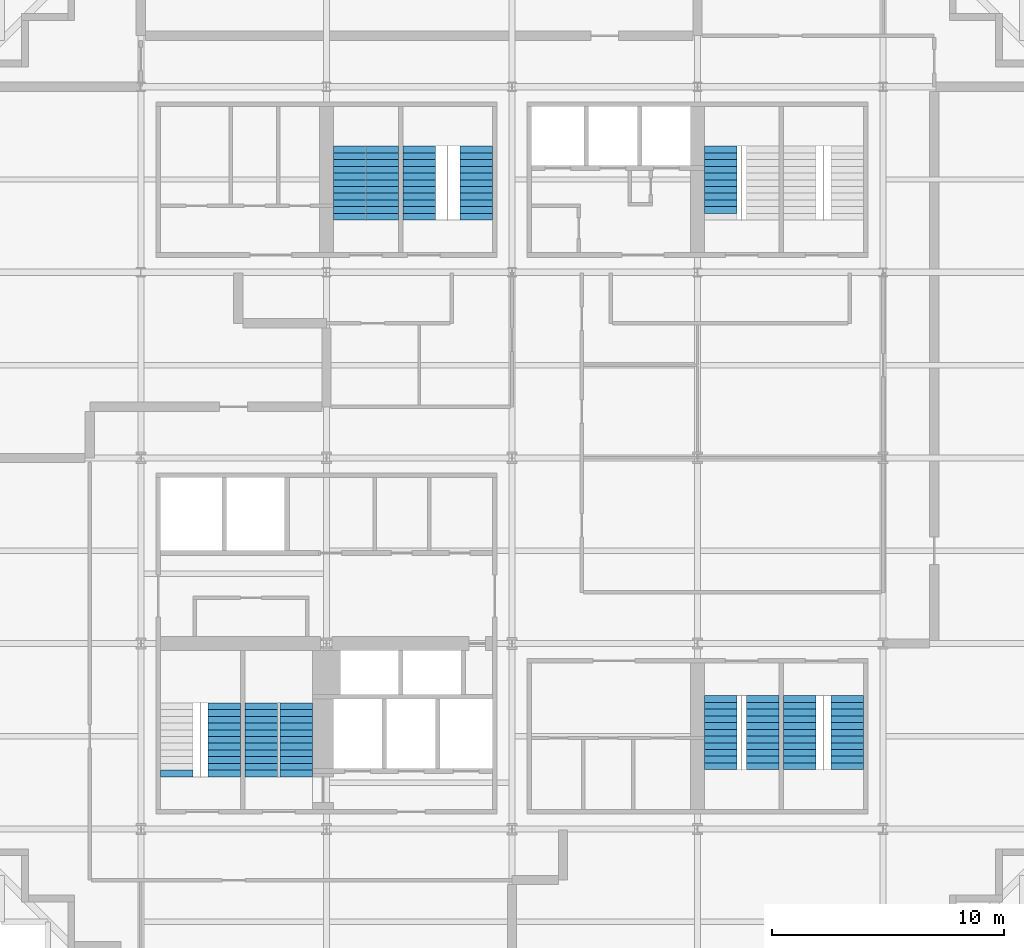
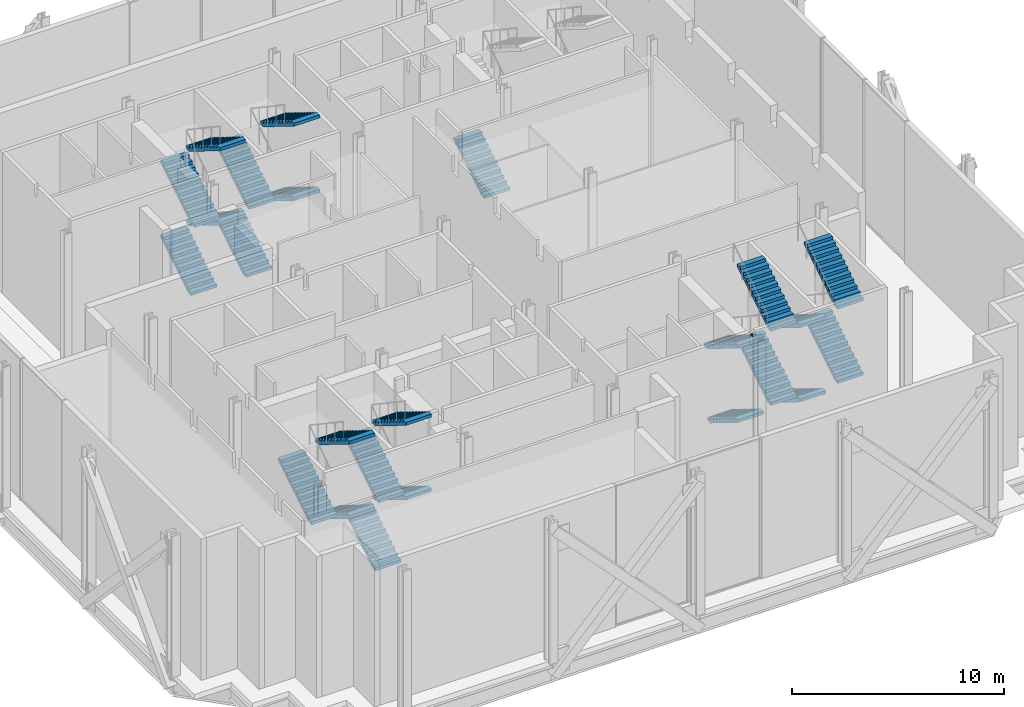
# One storey, part 11 of 13: 24 stair flights, 7 elements without a shape of their own.
"""IFC4 building model written with IfcOpenShell, lengths in metres."""

from ifc_helpers import new_model, si_unit, direction, frame, origin, place, context, subcontext, project, spatial, polyline, outline, extrude, material, type_object, element, aggregate, save


model = new_model("IFC4")

# Units and contexts
model_context = context("Model", 3, precision=1e-05, world=origin(), true_north=direction((0.0, 1.0)))
body_context = subcontext(model_context, "Body", "Model", "MODEL_VIEW")
ifc_project = project(units=[si_unit("LENGTHUNIT", "METRE"), si_unit("AREAUNIT", "SQUARE_METRE"), si_unit("VOLUMEUNIT", "CUBIC_METRE"), si_unit("PLANEANGLEUNIT", "RADIAN"), si_unit("MASSUNIT", "GRAM", prefix="KILO")], contexts=[model_context])

# Site, building, storey
site_placement = place(None, origin())
site = spatial("IfcSite", under=ifc_project, at=site_placement, CompositionType="ELEMENT")
building_placement = place(site_placement, origin())
building = spatial("IfcBuilding", under=site, at=building_placement, Name="Immortelle Media Tower", CompositionType="ELEMENT")
storey_placement = place(building_placement, frame((0.0, 0.0, 21.0)))
storey = spatial("IfcBuildingStorey", under=building, at=storey_placement, Name="L02", CompositionType="ELEMENT", Elevation=21.0)

# Stair, stair flights
ifc_material = material(Name="Steel ASTM A992 Gr 50", Category="steel")
stair_type = type_object("IfcStairType", Name="Stair with flights", PredefinedType="DOUBLE_RETURN_STAIR", material=ifc_material)
stair_1_placement = place(storey_placement, origin())
stair_1 = element("IfcStair", 1, at=stair_1_placement, inside=storey, type_object=stair_type, Name="Exit stair SW1", PredefinedType="DOUBLE_RETURN_STAIR")
stair_flight_type = type_object("IfcStairFlightType", Name="Stair flight 1400", PredefinedType="STRAIGHT", material=ifc_material)
stair_flight_1_placement = place(storey_placement, frame((11.60009765625, 13.43994140625, 1.966064453125), z_axis=(0.0, 0.0, 1.0), x_axis=(0.0, -1.0, 0.0)))
stair_flight_1 = element("IfcStairFlight", 2, at=stair_flight_1_placement, type_object=stair_flight_type, Name="ST SW1 flight 2", NumberOfRisers=12, NumberOfTreads=11, PredefinedType="STRAIGHT", RiserHeight=0.178723404, TreadLength=0.29, context=body_context, shape_type="SweptSolid", body=[
    extrude(outline(polyline([(0.0, 0.0), (0.0, 0.1787109375), (0.2900390625, 0.1787109375), (0.2900390625, 0.357421875), (0.580078125, 0.357421875), (0.580078125, 0.5361328125), (0.8701171875, 0.5361328125), (0.8701171875, 0.71484375), (1.159912109375, 0.71484375), (1.159912109375, 0.8935546875), (1.449951171875, 0.8935546875), (1.449951171875, 1.072265625), (1.739990234375, 1.072265625), (1.739990234375, 1.2509765625), (2.030029296875, 1.2509765625), (2.030029296875, 1.4296875), (2.320068359375, 1.4296875), (2.320068359375, 1.6083984375), (2.610107421875, 1.6083984375), (2.610107421875, 1.787353515625), (2.89990234375, 1.787353515625), (2.89990234375, 1.966064453125), (3.18994140625, 1.966064453125), (3.18994140625, 2.144775390625), (3.18994140625, 1.789794921875), (0.28564453125, 0.0), (0.0, 0.0)])), frame((0.0, 0.699951171875, 0.0), z_axis=(0.0, -1.0, 0.0), x_axis=(1.0, 0.0, 0.0)), (0.0, 0.0, 1.0), 1.39990234375),
])
stair_flight_2_placement = place(storey_placement, frame((9.550048828125, 10.25, 4.110595703125), z_axis=(0.0, 0.0, 1.0), x_axis=(0.0, 1.0, 0.0)))
stair_flight_2 = element("IfcStairFlight", 3, at=stair_flight_2_placement, type_object=stair_flight_type, Name="ST SW1 flight 3", NumberOfRisers=12, NumberOfTreads=11, PredefinedType="STRAIGHT", RiserHeight=0.178723404, TreadLength=0.29, context=body_context, shape_type="SweptSolid", body=[
    extrude(outline(polyline([(0.0, 0.0), (0.0, 0.1787109375), (0.2900390625, 0.1787109375), (0.2900390625, 0.357421875), (0.580078125, 0.357421875), (0.580078125, 0.5361328125), (0.8701171875, 0.5361328125), (0.8701171875, 0.71484375), (1.159912109375, 0.71484375), (1.159912109375, 0.8935546875), (1.449951171875, 0.8935546875), (1.449951171875, 1.072265625), (1.739990234375, 1.072265625), (1.739990234375, 1.2509765625), (2.030029296875, 1.2509765625), (2.030029296875, 1.4296875), (2.320068359375, 1.4296875), (2.320068359375, 1.6083984375), (2.610107421875, 1.6083984375), (2.610107421875, 1.787353515625), (2.89990234375, 1.787353515625), (2.89990234375, 1.966064453125), (3.18994140625, 1.966064453125), (3.18994140625, 2.144775390625), (3.18994140625, 1.789794921875), (0.28564453125, 0.0), (0.0, 0.0)])), frame((0.0, 0.699951171875, 0.0), z_axis=(0.0, -1.0, 0.0), x_axis=(1.0, 0.0, 0.0)), (0.0, 0.0, 1.0), 1.39990234375),
])
stair_flight_3_placement = place(storey_placement, frame((11.60009765625, 13.43994140625, 6.25537109375), z_axis=(0.0, 0.0, 1.0), x_axis=(0.0, -1.0, 0.0)))
stair_flight_3 = element("IfcStairFlight", 4, at=stair_flight_3_placement, type_object=stair_flight_type, Name="ST SW1 flight 4", NumberOfRisers=12, NumberOfTreads=11, PredefinedType="STRAIGHT", RiserHeight=0.178723404, TreadLength=0.29, context=body_context, shape_type="SweptSolid", body=[
    extrude(outline(polyline([(0.0, 0.0), (0.0, 0.1787109375), (0.2900390625, 0.1787109375), (0.2900390625, 0.357421875), (0.580078125, 0.357421875), (0.580078125, 0.5361328125), (0.8701171875, 0.5361328125), (0.8701171875, 0.71484375), (1.159912109375, 0.71484375), (1.159912109375, 0.8935546875), (1.449951171875, 0.8935546875), (1.449951171875, 1.072265625), (1.739990234375, 1.072265625), (1.739990234375, 1.2509765625), (2.030029296875, 1.2509765625), (2.030029296875, 1.4296875), (2.320068359375, 1.4296875), (2.320068359375, 1.6083984375), (2.610107421875, 1.6083984375), (2.610107421875, 1.787353515625), (2.89990234375, 1.787353515625), (2.89990234375, 1.966064453125), (3.18994140625, 1.966064453125), (3.18994140625, 2.144775390625), (3.18994140625, 1.789794921875), (0.28564453125, 0.0), (0.0, 0.0)])), frame((0.0, 0.699951171875, 0.0), z_axis=(0.0, -1.0, 0.0), x_axis=(1.0, 0.0, 0.0)), (0.0, 0.0, 1.0), 1.39990234375),
])
aggregate(stair_1, [stair_flight_1, stair_flight_2, stair_flight_3])

stair_2_placement = place(storey_placement, origin())
stair_2 = element("IfcStair", 5, at=stair_2_placement, inside=storey, type_object=stair_type, Name="Exit stair SW2", PredefinedType="DOUBLE_RETURN_STAIR")
stair_flight_4_placement = place(storey_placement, frame((13.199951171875, 10.5400390625, 0.0), z_axis=(0.0, 0.0, 1.0), x_axis=(0.0, 1.0, 0.0)))
stair_flight_4 = element("IfcStairFlight", 6, at=stair_flight_4_placement, type_object=stair_flight_type, Name="ST SW2 flight 1", NumberOfRisers=11, NumberOfTreads=10, PredefinedType="STRAIGHT", RiserHeight=0.178723404, TreadLength=0.29, context=body_context, shape_type="SweptSolid", body=[
    extrude(outline(polyline([(0.0, 0.0), (0.0, 0.1787109375), (0.2900390625, 0.1787109375), (0.2900390625, 0.357421875), (0.580078125, 0.357421875), (0.580078125, 0.5361328125), (0.8701171875, 0.5361328125), (0.8701171875, 0.71484375), (1.159912109375, 0.71484375), (1.159912109375, 0.8935546875), (1.449951171875, 0.8935546875), (1.449951171875, 1.072265625), (1.739990234375, 1.072265625), (1.739990234375, 1.2509765625), (2.030029296875, 1.2509765625), (2.030029296875, 1.4296875), (2.320068359375, 1.4296875), (2.320068359375, 1.6083984375), (2.610107421875, 1.6083984375), (2.610107421875, 1.787353515625), (2.89990234375, 1.787353515625), (2.89990234375, 1.966064453125), (2.89990234375, 1.611083984375), (0.28564453125, 0.0), (0.0, 0.0)])), frame((0.0, 0.699951171875, 0.0), z_axis=(0.0, -1.0, 0.0), x_axis=(1.0, 0.0, 0.0)), (0.0, 0.0, 1.0), 1.39990234375),
])
stair_flight_5_placement = place(storey_placement, frame((14.699951171875, 13.43994140625, 1.966064453125), z_axis=(0.0, 0.0, 1.0), x_axis=(0.0, -1.0, 0.0)))
stair_flight_5 = element("IfcStairFlight", 7, at=stair_flight_5_placement, type_object=stair_flight_type, Name="ST SW2 flight 2", NumberOfRisers=12, NumberOfTreads=11, PredefinedType="STRAIGHT", RiserHeight=0.178723404, TreadLength=0.29, context=body_context, shape_type="SweptSolid", body=[
    extrude(outline(polyline([(0.0, 0.0), (0.0, 0.1787109375), (0.2900390625, 0.1787109375), (0.2900390625, 0.357421875), (0.580078125, 0.357421875), (0.580078125, 0.5361328125), (0.8701171875, 0.5361328125), (0.8701171875, 0.71484375), (1.159912109375, 0.71484375), (1.159912109375, 0.8935546875), (1.449951171875, 0.8935546875), (1.449951171875, 1.072265625), (1.739990234375, 1.072265625), (1.739990234375, 1.2509765625), (2.030029296875, 1.2509765625), (2.030029296875, 1.4296875), (2.320068359375, 1.4296875), (2.320068359375, 1.6083984375), (2.610107421875, 1.6083984375), (2.610107421875, 1.787353515625), (2.89990234375, 1.787353515625), (2.89990234375, 1.966064453125), (3.18994140625, 1.966064453125), (3.18994140625, 2.144775390625), (3.18994140625, 1.789794921875), (0.28564453125, 0.0), (0.0, 0.0)])), frame((0.0, 0.699951171875, 0.0), z_axis=(0.0, -1.0, 0.0), x_axis=(1.0, 0.0, 0.0)), (0.0, 0.0, 1.0), 1.39990234375),
])
stair_flight_6_placement = place(storey_placement, frame((13.199951171875, 10.25, 4.110595703125), z_axis=(0.0, 0.0, 1.0), x_axis=(0.0, 1.0, 0.0)))
stair_flight_6 = element("IfcStairFlight", 8, at=stair_flight_6_placement, type_object=stair_flight_type, Name="ST SW2 flight 3", NumberOfRisers=12, NumberOfTreads=11, PredefinedType="STRAIGHT", RiserHeight=0.178723404, TreadLength=0.29, context=body_context, shape_type="SweptSolid", body=[
    extrude(outline(polyline([(0.0, 0.0), (0.0, 0.1787109375), (0.2900390625, 0.1787109375), (0.2900390625, 0.357421875), (0.580078125, 0.357421875), (0.580078125, 0.5361328125), (0.8701171875, 0.5361328125), (0.8701171875, 0.71484375), (1.159912109375, 0.71484375), (1.159912109375, 0.8935546875), (1.449951171875, 0.8935546875), (1.449951171875, 1.072265625), (1.739990234375, 1.072265625), (1.739990234375, 1.2509765625), (2.030029296875, 1.2509765625), (2.030029296875, 1.4296875), (2.320068359375, 1.4296875), (2.320068359375, 1.6083984375), (2.610107421875, 1.6083984375), (2.610107421875, 1.787353515625), (2.89990234375, 1.787353515625), (2.89990234375, 1.966064453125), (3.18994140625, 1.966064453125), (3.18994140625, 2.144775390625), (3.18994140625, 1.789794921875), (0.28564453125, 0.0), (0.0, 0.0)])), frame((0.0, 0.699951171875, 0.0), z_axis=(0.0, -1.0, 0.0), x_axis=(1.0, 0.0, 0.0)), (0.0, 0.0, 1.0), 1.39990234375),
])
stair_flight_7_placement = place(storey_placement, frame((14.699951171875, 13.43994140625, 6.25537109375), z_axis=(0.0, 0.0, 1.0), x_axis=(0.0, -1.0, 0.0)))
stair_flight_7 = element("IfcStairFlight", 9, at=stair_flight_7_placement, type_object=stair_flight_type, Name="ST SW2 flight 4", NumberOfRisers=12, NumberOfTreads=11, PredefinedType="STRAIGHT", RiserHeight=0.178723404, TreadLength=0.29, context=body_context, shape_type="SweptSolid", body=[
    extrude(outline(polyline([(0.0, 0.0), (0.0, 0.1787109375), (0.2900390625, 0.1787109375), (0.2900390625, 0.357421875), (0.580078125, 0.357421875), (0.580078125, 0.5361328125), (0.8701171875, 0.5361328125), (0.8701171875, 0.71484375), (1.159912109375, 0.71484375), (1.159912109375, 0.8935546875), (1.449951171875, 0.8935546875), (1.449951171875, 1.072265625), (1.739990234375, 1.072265625), (1.739990234375, 1.2509765625), (2.030029296875, 1.2509765625), (2.030029296875, 1.4296875), (2.320068359375, 1.4296875), (2.320068359375, 1.6083984375), (2.610107421875, 1.6083984375), (2.610107421875, 1.787353515625), (2.89990234375, 1.787353515625), (2.89990234375, 1.966064453125), (3.18994140625, 1.966064453125), (3.18994140625, 2.144775390625), (3.18994140625, 1.789794921875), (0.28564453125, 0.0), (0.0, 0.0)])), frame((0.0, 0.699951171875, 0.0), z_axis=(0.0, -1.0, 0.0), x_axis=(1.0, 0.0, 0.0)), (0.0, 0.0, 1.0), 1.39990234375),
])
aggregate(stair_2, [stair_flight_4, stair_flight_5, stair_flight_6, stair_flight_7])

stair_3_placement = place(storey_placement, origin())
stair_3 = element("IfcStair", 10, at=stair_3_placement, inside=storey, type_object=stair_type, Name="Exit stair SE1", PredefinedType="DOUBLE_RETURN_STAIR")
stair_flight_8_placement = place(storey_placement, frame((33.0, 13.4599609375, 0.0), z_axis=(0.0, 0.0, 1.0), x_axis=(0.0, -1.0, 0.0)))
stair_flight_8 = element("IfcStairFlight", 11, at=stair_flight_8_placement, type_object=stair_flight_type, Name="ST SE1 flight 1", NumberOfRisers=11, NumberOfTreads=10, PredefinedType="STRAIGHT", RiserHeight=0.178723404, TreadLength=0.29, context=body_context, shape_type="SweptSolid", body=[
    extrude(outline(polyline([(0.0, 0.0), (0.0, 0.1787109375), (0.2900390625, 0.1787109375), (0.2900390625, 0.357421875), (0.580078125, 0.357421875), (0.580078125, 0.5361328125), (0.8701171875, 0.5361328125), (0.8701171875, 0.71484375), (1.159912109375, 0.71484375), (1.159912109375, 0.8935546875), (1.449951171875, 0.8935546875), (1.449951171875, 1.072265625), (1.739990234375, 1.072265625), (1.739990234375, 1.2509765625), (2.030029296875, 1.2509765625), (2.030029296875, 1.4296875), (2.320068359375, 1.4296875), (2.320068359375, 1.6083984375), (2.610107421875, 1.6083984375), (2.610107421875, 1.787353515625), (2.89990234375, 1.787353515625), (2.89990234375, 1.966064453125), (2.89990234375, 1.611083984375), (0.28564453125, 0.0), (0.0, 0.0)])), frame((0.0, 0.699951171875, 0.0), z_axis=(0.0, -1.0, 0.0), x_axis=(1.0, 0.0, 0.0)), (0.0, 0.0, 1.0), 1.39990234375),
])
stair_flight_9_placement = place(storey_placement, frame((34.800048828125, 10.56005859375, 1.966064453125), z_axis=(0.0, 0.0, 1.0), x_axis=(0.0, 1.0, 0.0)))
stair_flight_9 = element("IfcStairFlight", 12, at=stair_flight_9_placement, type_object=stair_flight_type, Name="ST SE1 flight 2", NumberOfRisers=12, NumberOfTreads=11, PredefinedType="STRAIGHT", RiserHeight=0.178723404, TreadLength=0.29, context=body_context, shape_type="SweptSolid", body=[
    extrude(outline(polyline([(0.0, 0.0), (0.0, 0.1787109375), (0.2900390625, 0.1787109375), (0.2900390625, 0.357421875), (0.580078125, 0.357421875), (0.580078125, 0.5361328125), (0.8701171875, 0.5361328125), (0.8701171875, 0.71484375), (1.159912109375, 0.71484375), (1.159912109375, 0.8935546875), (1.449951171875, 0.8935546875), (1.449951171875, 1.072265625), (1.739990234375, 1.072265625), (1.739990234375, 1.2509765625), (2.030029296875, 1.2509765625), (2.030029296875, 1.4296875), (2.320068359375, 1.4296875), (2.320068359375, 1.6083984375), (2.610107421875, 1.6083984375), (2.610107421875, 1.787353515625), (2.89990234375, 1.787353515625), (2.89990234375, 1.966064453125), (3.18994140625, 1.966064453125), (3.18994140625, 2.144775390625), (3.18994140625, 1.789794921875), (0.28564453125, 0.0), (0.0, 0.0)])), frame((0.0, 0.699951171875, 0.0), z_axis=(0.0, -1.0, 0.0), x_axis=(1.0, 0.0, 0.0)), (0.0, 0.0, 1.0), 1.39990234375),
])
stair_flight_10_placement = place(storey_placement, frame((33.0, 13.75, 4.110595703125), z_axis=(0.0, 0.0, 1.0), x_axis=(0.0, -1.0, 0.0)))
stair_flight_10 = element("IfcStairFlight", 13, at=stair_flight_10_placement, type_object=stair_flight_type, Name="ST SE1 flight 3", NumberOfRisers=12, NumberOfTreads=11, PredefinedType="STRAIGHT", RiserHeight=0.178723404, TreadLength=0.29, context=body_context, shape_type="SweptSolid", body=[
    extrude(outline(polyline([(0.0, 0.0), (0.0, 0.1787109375), (0.2900390625, 0.1787109375), (0.2900390625, 0.357421875), (0.580078125, 0.357421875), (0.580078125, 0.5361328125), (0.8701171875, 0.5361328125), (0.8701171875, 0.71484375), (1.159912109375, 0.71484375), (1.159912109375, 0.8935546875), (1.449951171875, 0.8935546875), (1.449951171875, 1.072265625), (1.739990234375, 1.072265625), (1.739990234375, 1.2509765625), (2.030029296875, 1.2509765625), (2.030029296875, 1.4296875), (2.320068359375, 1.4296875), (2.320068359375, 1.6083984375), (2.610107421875, 1.6083984375), (2.610107421875, 1.787353515625), (2.89990234375, 1.787353515625), (2.89990234375, 1.966064453125), (3.18994140625, 1.966064453125), (3.18994140625, 2.144775390625), (3.18994140625, 1.789794921875), (0.28564453125, 0.0), (0.0, 0.0)])), frame((0.0, 0.699951171875, 0.0), z_axis=(0.0, -1.0, 0.0), x_axis=(1.0, 0.0, 0.0)), (0.0, 0.0, 1.0), 1.39990234375),
])
stair_flight_11_placement = place(storey_placement, frame((34.800048828125, 10.56005859375, 6.25537109375), z_axis=(0.0, 0.0, 1.0), x_axis=(0.0, 1.0, 0.0)))
stair_flight_11 = element("IfcStairFlight", 14, at=stair_flight_11_placement, type_object=stair_flight_type, Name="ST SE1 flight 4", NumberOfRisers=12, NumberOfTreads=11, PredefinedType="STRAIGHT", RiserHeight=0.178723404, TreadLength=0.29, context=body_context, shape_type="SweptSolid", body=[
    extrude(outline(polyline([(0.0, 0.0), (0.0, 0.1787109375), (0.2900390625, 0.1787109375), (0.2900390625, 0.357421875), (0.580078125, 0.357421875), (0.580078125, 0.5361328125), (0.8701171875, 0.5361328125), (0.8701171875, 0.71484375), (1.159912109375, 0.71484375), (1.159912109375, 0.8935546875), (1.449951171875, 0.8935546875), (1.449951171875, 1.072265625), (1.739990234375, 1.072265625), (1.739990234375, 1.2509765625), (2.030029296875, 1.2509765625), (2.030029296875, 1.4296875), (2.320068359375, 1.4296875), (2.320068359375, 1.6083984375), (2.610107421875, 1.6083984375), (2.610107421875, 1.787353515625), (2.89990234375, 1.787353515625), (2.89990234375, 1.966064453125), (3.18994140625, 1.966064453125), (3.18994140625, 2.144775390625), (3.18994140625, 1.789794921875), (0.28564453125, 0.0), (0.0, 0.0)])), frame((0.0, 0.699951171875, 0.0), z_axis=(0.0, -1.0, 0.0), x_axis=(1.0, 0.0, 0.0)), (0.0, 0.0, 1.0), 1.39990234375),
])
aggregate(stair_3, [stair_flight_8, stair_flight_9, stair_flight_10, stair_flight_11])

stair_4_placement = place(storey_placement, origin())
stair_4 = element("IfcStair", 15, at=stair_4_placement, inside=storey, type_object=stair_type, Name="Exit stair SE2", PredefinedType="DOUBLE_RETURN_STAIR")
stair_flight_12_placement = place(storey_placement, frame((36.39990234375, 13.4599609375, 0.0), z_axis=(0.0, 0.0, 1.0), x_axis=(0.0, -1.0, 0.0)))
stair_flight_12 = element("IfcStairFlight", 16, at=stair_flight_12_placement, type_object=stair_flight_type, Name="ST SE2 flight 1", NumberOfRisers=11, NumberOfTreads=10, PredefinedType="STRAIGHT", RiserHeight=0.178723404, TreadLength=0.29, context=body_context, shape_type="SweptSolid", body=[
    extrude(outline(polyline([(0.0, 0.0), (0.0, 0.1787109375), (0.2900390625, 0.1787109375), (0.2900390625, 0.357421875), (0.580078125, 0.357421875), (0.580078125, 0.5361328125), (0.8701171875, 0.5361328125), (0.8701171875, 0.71484375), (1.159912109375, 0.71484375), (1.159912109375, 0.8935546875), (1.449951171875, 0.8935546875), (1.449951171875, 1.072265625), (1.739990234375, 1.072265625), (1.739990234375, 1.2509765625), (2.030029296875, 1.2509765625), (2.030029296875, 1.4296875), (2.320068359375, 1.4296875), (2.320068359375, 1.6083984375), (2.610107421875, 1.6083984375), (2.610107421875, 1.787353515625), (2.89990234375, 1.787353515625), (2.89990234375, 1.966064453125), (2.89990234375, 1.611083984375), (0.28564453125, 0.0), (0.0, 0.0)])), frame((0.0, 0.699951171875, 0.0), z_axis=(0.0, -1.0, 0.0), x_axis=(1.0, 0.0, 0.0)), (0.0, 0.0, 1.0), 1.39990234375),
])
stair_flight_13_placement = place(storey_placement, frame((38.449951171875, 10.56005859375, 1.966064453125), z_axis=(0.0, 0.0, 1.0), x_axis=(0.0, 1.0, 0.0)))
stair_flight_13 = element("IfcStairFlight", 17, at=stair_flight_13_placement, type_object=stair_flight_type, Name="ST SE2 flight 2", NumberOfRisers=12, NumberOfTreads=11, PredefinedType="STRAIGHT", RiserHeight=0.178723404, TreadLength=0.29, context=body_context, shape_type="SweptSolid", body=[
    extrude(outline(polyline([(0.0, 0.0), (0.0, 0.1787109375), (0.2900390625, 0.1787109375), (0.2900390625, 0.357421875), (0.580078125, 0.357421875), (0.580078125, 0.5361328125), (0.8701171875, 0.5361328125), (0.8701171875, 0.71484375), (1.159912109375, 0.71484375), (1.159912109375, 0.8935546875), (1.449951171875, 0.8935546875), (1.449951171875, 1.072265625), (1.739990234375, 1.072265625), (1.739990234375, 1.2509765625), (2.030029296875, 1.2509765625), (2.030029296875, 1.4296875), (2.320068359375, 1.4296875), (2.320068359375, 1.6083984375), (2.610107421875, 1.6083984375), (2.610107421875, 1.787353515625), (2.89990234375, 1.787353515625), (2.89990234375, 1.966064453125), (3.18994140625, 1.966064453125), (3.18994140625, 2.144775390625), (3.18994140625, 1.789794921875), (0.28564453125, 0.0), (0.0, 0.0)])), frame((0.0, 0.699951171875, 0.0), z_axis=(0.0, -1.0, 0.0), x_axis=(1.0, 0.0, 0.0)), (0.0, 0.0, 1.0), 1.39990234375),
])
stair_flight_14_placement = place(storey_placement, frame((36.39990234375, 13.75, 4.110595703125), z_axis=(0.0, 0.0, 1.0), x_axis=(0.0, -1.0, 0.0)))
stair_flight_14 = element("IfcStairFlight", 18, at=stair_flight_14_placement, type_object=stair_flight_type, Name="ST SE2 flight 3", NumberOfRisers=12, NumberOfTreads=11, PredefinedType="STRAIGHT", RiserHeight=0.178723404, TreadLength=0.29, context=body_context, shape_type="SweptSolid", body=[
    extrude(outline(polyline([(0.0, 0.0), (0.0, 0.1787109375), (0.2900390625, 0.1787109375), (0.2900390625, 0.357421875), (0.580078125, 0.357421875), (0.580078125, 0.5361328125), (0.8701171875, 0.5361328125), (0.8701171875, 0.71484375), (1.159912109375, 0.71484375), (1.159912109375, 0.8935546875), (1.449951171875, 0.8935546875), (1.449951171875, 1.072265625), (1.739990234375, 1.072265625), (1.739990234375, 1.2509765625), (2.030029296875, 1.2509765625), (2.030029296875, 1.4296875), (2.320068359375, 1.4296875), (2.320068359375, 1.6083984375), (2.610107421875, 1.6083984375), (2.610107421875, 1.787353515625), (2.89990234375, 1.787353515625), (2.89990234375, 1.966064453125), (3.18994140625, 1.966064453125), (3.18994140625, 2.144775390625), (3.18994140625, 1.789794921875), (0.28564453125, 0.0), (0.0, 0.0)])), frame((0.0, 0.699951171875, 0.0), z_axis=(0.0, -1.0, 0.0), x_axis=(1.0, 0.0, 0.0)), (0.0, 0.0, 1.0), 1.39990234375),
])
stair_flight_15_placement = place(storey_placement, frame((38.449951171875, 10.56005859375, 6.25537109375), z_axis=(0.0, 0.0, 1.0), x_axis=(0.0, 1.0, 0.0)))
stair_flight_15 = element("IfcStairFlight", 19, at=stair_flight_15_placement, type_object=stair_flight_type, Name="ST SE2 flight 4", NumberOfRisers=12, NumberOfTreads=11, PredefinedType="STRAIGHT", RiserHeight=0.178723404, TreadLength=0.29, context=body_context, shape_type="SweptSolid", body=[
    extrude(outline(polyline([(0.0, 0.0), (0.0, 0.1787109375), (0.2900390625, 0.1787109375), (0.2900390625, 0.357421875), (0.580078125, 0.357421875), (0.580078125, 0.5361328125), (0.8701171875, 0.5361328125), (0.8701171875, 0.71484375), (1.159912109375, 0.71484375), (1.159912109375, 0.8935546875), (1.449951171875, 0.8935546875), (1.449951171875, 1.072265625), (1.739990234375, 1.072265625), (1.739990234375, 1.2509765625), (2.030029296875, 1.2509765625), (2.030029296875, 1.4296875), (2.320068359375, 1.4296875), (2.320068359375, 1.6083984375), (2.610107421875, 1.6083984375), (2.610107421875, 1.787353515625), (2.89990234375, 1.787353515625), (2.89990234375, 1.966064453125), (3.18994140625, 1.966064453125), (3.18994140625, 2.144775390625), (3.18994140625, 1.789794921875), (0.28564453125, 0.0), (0.0, 0.0)])), frame((0.0, 0.699951171875, 0.0), z_axis=(0.0, -1.0, 0.0), x_axis=(1.0, 0.0, 0.0)), (0.0, 0.0, 1.0), 1.39990234375),
])
aggregate(stair_4, [stair_flight_12, stair_flight_13, stair_flight_14, stair_flight_15])

stair_5_placement = place(storey_placement, origin())
stair_5 = element("IfcStair", 20, at=stair_5_placement, inside=storey, type_object=stair_type, Name="Exit stair NW1", PredefinedType="DOUBLE_RETURN_STAIR")
stair_flight_16_placement = place(storey_placement, frame((17.0, 34.5400390625, 0.0), z_axis=(0.0, 0.0, 1.0), x_axis=(0.0, 1.0, 0.0)))
stair_flight_16 = element("IfcStairFlight", 21, at=stair_flight_16_placement, type_object=stair_flight_type, Name="ST NW1 flight 1", NumberOfRisers=11, NumberOfTreads=10, PredefinedType="STRAIGHT", RiserHeight=0.178723404, TreadLength=0.29, context=body_context, shape_type="SweptSolid", body=[
    extrude(outline(polyline([(0.0, 0.0), (0.0, 0.1787109375), (0.2900390625, 0.1787109375), (0.2900390625, 0.357421875), (0.580078125, 0.357421875), (0.580078125, 0.5361328125), (0.8701171875, 0.5361328125), (0.8701171875, 0.71484375), (1.159912109375, 0.71484375), (1.159912109375, 0.8935546875), (1.449951171875, 0.8935546875), (1.449951171875, 1.072265625), (1.739990234375, 1.072265625), (1.739990234375, 1.2509765625), (2.030029296875, 1.2509765625), (2.030029296875, 1.4296875), (2.320068359375, 1.4296875), (2.320068359375, 1.6083984375), (2.610107421875, 1.6083984375), (2.610107421875, 1.787353515625), (2.89990234375, 1.787353515625), (2.89990234375, 1.966064453125), (2.89990234375, 1.611083984375), (0.28564453125, 0.0), (0.0, 0.0)])), frame((0.0, 0.699951171875, 0.0), z_axis=(0.0, -1.0, 0.0), x_axis=(1.0, 0.0, 0.0)), (0.0, 0.0, 1.0), 1.39990234375),
])
stair_flight_17_placement = place(storey_placement, frame((18.39990234375, 37.43994140625, 1.966064453125), z_axis=(0.0, 0.0, 1.0), x_axis=(0.0, -1.0, 0.0)))
stair_flight_17 = element("IfcStairFlight", 22, at=stair_flight_17_placement, type_object=stair_flight_type, Name="ST NW1 flight 2", NumberOfRisers=12, NumberOfTreads=11, PredefinedType="STRAIGHT", RiserHeight=0.178723404, TreadLength=0.29, context=body_context, shape_type="SweptSolid", body=[
    extrude(outline(polyline([(0.0, 0.0), (0.0, 0.1787109375), (0.2900390625, 0.1787109375), (0.2900390625, 0.357421875), (0.580078125, 0.357421875), (0.580078125, 0.5361328125), (0.8701171875, 0.5361328125), (0.8701171875, 0.71484375), (1.159912109375, 0.71484375), (1.159912109375, 0.8935546875), (1.449951171875, 0.8935546875), (1.449951171875, 1.072265625), (1.739990234375, 1.072265625), (1.739990234375, 1.2509765625), (2.030029296875, 1.2509765625), (2.030029296875, 1.4296875), (2.320068359375, 1.4296875), (2.320068359375, 1.6083984375), (2.610107421875, 1.6083984375), (2.610107421875, 1.787353515625), (2.89990234375, 1.787353515625), (2.89990234375, 1.966064453125), (3.18994140625, 1.966064453125), (3.18994140625, 2.144775390625), (3.18994140625, 1.789794921875), (0.28564453125, 0.0), (0.0, 0.0)])), frame((0.0, 0.699951171875, 0.0), z_axis=(0.0, -1.0, 0.0), x_axis=(1.0, 0.0, 0.0)), (0.0, 0.0, 1.0), 1.39990234375),
])
stair_flight_18_placement = place(storey_placement, frame((17.0, 34.25, 4.110595703125), z_axis=(0.0, 0.0, 1.0), x_axis=(0.0, 1.0, 0.0)))
stair_flight_18 = element("IfcStairFlight", 23, at=stair_flight_18_placement, type_object=stair_flight_type, Name="ST NW1 flight 3", NumberOfRisers=12, NumberOfTreads=11, PredefinedType="STRAIGHT", RiserHeight=0.178723404, TreadLength=0.29, context=body_context, shape_type="SweptSolid", body=[
    extrude(outline(polyline([(0.0, 0.0), (0.0, 0.1787109375), (0.2900390625, 0.1787109375), (0.2900390625, 0.357421875), (0.580078125, 0.357421875), (0.580078125, 0.5361328125), (0.8701171875, 0.5361328125), (0.8701171875, 0.71484375), (1.159912109375, 0.71484375), (1.159912109375, 0.8935546875), (1.449951171875, 0.8935546875), (1.449951171875, 1.072265625), (1.739990234375, 1.072265625), (1.739990234375, 1.2509765625), (2.030029296875, 1.2509765625), (2.030029296875, 1.4296875), (2.320068359375, 1.4296875), (2.320068359375, 1.6083984375), (2.610107421875, 1.6083984375), (2.610107421875, 1.787353515625), (2.89990234375, 1.787353515625), (2.89990234375, 1.966064453125), (3.18994140625, 1.966064453125), (3.18994140625, 2.144775390625), (3.18994140625, 1.789794921875), (0.28564453125, 0.0), (0.0, 0.0)])), frame((0.0, 0.699951171875, 0.0), z_axis=(0.0, -1.0, 0.0), x_axis=(1.0, 0.0, 0.0)), (0.0, 0.0, 1.0), 1.39990234375),
])
stair_flight_19_placement = place(storey_placement, frame((18.39990234375, 37.43994140625, 6.25537109375), z_axis=(0.0, 0.0, 1.0), x_axis=(0.0, -1.0, 0.0)))
stair_flight_19 = element("IfcStairFlight", 24, at=stair_flight_19_placement, type_object=stair_flight_type, Name="ST NW1 flight 4", NumberOfRisers=12, NumberOfTreads=11, PredefinedType="STRAIGHT", RiserHeight=0.178723404, TreadLength=0.29, context=body_context, shape_type="SweptSolid", body=[
    extrude(outline(polyline([(0.0, 0.0), (0.0, 0.1787109375), (0.2900390625, 0.1787109375), (0.2900390625, 0.357421875), (0.580078125, 0.357421875), (0.580078125, 0.5361328125), (0.8701171875, 0.5361328125), (0.8701171875, 0.71484375), (1.159912109375, 0.71484375), (1.159912109375, 0.8935546875), (1.449951171875, 0.8935546875), (1.449951171875, 1.072265625), (1.739990234375, 1.072265625), (1.739990234375, 1.2509765625), (2.030029296875, 1.2509765625), (2.030029296875, 1.4296875), (2.320068359375, 1.4296875), (2.320068359375, 1.6083984375), (2.610107421875, 1.6083984375), (2.610107421875, 1.787353515625), (2.89990234375, 1.787353515625), (2.89990234375, 1.966064453125), (3.18994140625, 1.966064453125), (3.18994140625, 2.144775390625), (3.18994140625, 1.789794921875), (0.28564453125, 0.0), (0.0, 0.0)])), frame((0.0, 0.699951171875, 0.0), z_axis=(0.0, -1.0, 0.0), x_axis=(1.0, 0.0, 0.0)), (0.0, 0.0, 1.0), 1.39990234375),
])
aggregate(stair_5, [stair_flight_16, stair_flight_17, stair_flight_18, stair_flight_19])

stair_6_placement = place(storey_placement, origin())
stair_6 = element("IfcStair", 25, at=stair_6_placement, inside=storey, type_object=stair_type, Name="Exit stair NW2", PredefinedType="DOUBLE_RETURN_STAIR")
stair_flight_20_placement = place(storey_placement, frame((20.0, 34.5400390625, 0.0), z_axis=(0.0, 0.0, 1.0), x_axis=(0.0, 1.0, 0.0)))
stair_flight_20 = element("IfcStairFlight", 26, at=stair_flight_20_placement, type_object=stair_flight_type, Name="ST NW2 flight 1", NumberOfRisers=11, NumberOfTreads=10, PredefinedType="STRAIGHT", RiserHeight=0.178723404, TreadLength=0.29, context=body_context, shape_type="SweptSolid", body=[
    extrude(outline(polyline([(0.0, 0.0), (0.0, 0.1787109375), (0.2900390625, 0.1787109375), (0.2900390625, 0.357421875), (0.580078125, 0.357421875), (0.580078125, 0.5361328125), (0.8701171875, 0.5361328125), (0.8701171875, 0.71484375), (1.159912109375, 0.71484375), (1.159912109375, 0.8935546875), (1.449951171875, 0.8935546875), (1.449951171875, 1.072265625), (1.739990234375, 1.072265625), (1.739990234375, 1.2509765625), (2.030029296875, 1.2509765625), (2.030029296875, 1.4296875), (2.320068359375, 1.4296875), (2.320068359375, 1.6083984375), (2.610107421875, 1.6083984375), (2.610107421875, 1.787353515625), (2.89990234375, 1.787353515625), (2.89990234375, 1.966064453125), (2.89990234375, 1.611083984375), (0.28564453125, 0.0), (0.0, 0.0)])), frame((0.0, 0.699951171875, 0.0), z_axis=(0.0, -1.0, 0.0), x_axis=(1.0, 0.0, 0.0)), (0.0, 0.0, 1.0), 1.39990234375),
])
stair_flight_21_placement = place(storey_placement, frame((22.449951171875, 37.43994140625, 1.966064453125), z_axis=(0.0, 0.0, 1.0), x_axis=(0.0, -1.0, 0.0)))
stair_flight_21 = element("IfcStairFlight", 27, at=stair_flight_21_placement, type_object=stair_flight_type, Name="ST NW2 flight 2", NumberOfRisers=12, NumberOfTreads=11, PredefinedType="STRAIGHT", RiserHeight=0.178723404, TreadLength=0.29, context=body_context, shape_type="SweptSolid", body=[
    extrude(outline(polyline([(0.0, 0.0), (0.0, 0.1787109375), (0.2900390625, 0.1787109375), (0.2900390625, 0.357421875), (0.580078125, 0.357421875), (0.580078125, 0.5361328125), (0.8701171875, 0.5361328125), (0.8701171875, 0.71484375), (1.159912109375, 0.71484375), (1.159912109375, 0.8935546875), (1.449951171875, 0.8935546875), (1.449951171875, 1.072265625), (1.739990234375, 1.072265625), (1.739990234375, 1.2509765625), (2.030029296875, 1.2509765625), (2.030029296875, 1.4296875), (2.320068359375, 1.4296875), (2.320068359375, 1.6083984375), (2.610107421875, 1.6083984375), (2.610107421875, 1.787353515625), (2.89990234375, 1.787353515625), (2.89990234375, 1.966064453125), (3.18994140625, 1.966064453125), (3.18994140625, 2.144775390625), (3.18994140625, 1.789794921875), (0.28564453125, 0.0), (0.0, 0.0)])), frame((0.0, 0.699951171875, 0.0), z_axis=(0.0, -1.0, 0.0), x_axis=(1.0, 0.0, 0.0)), (0.0, 0.0, 1.0), 1.39990234375),
])
stair_flight_22_placement = place(storey_placement, frame((20.0, 34.25, 4.110595703125), z_axis=(0.0, 0.0, 1.0), x_axis=(0.0, 1.0, 0.0)))
stair_flight_22 = element("IfcStairFlight", 28, at=stair_flight_22_placement, type_object=stair_flight_type, Name="ST NW2 flight 3", NumberOfRisers=12, NumberOfTreads=11, PredefinedType="STRAIGHT", RiserHeight=0.178723404, TreadLength=0.29, context=body_context, shape_type="SweptSolid", body=[
    extrude(outline(polyline([(0.0, 0.0), (0.0, 0.1787109375), (0.2900390625, 0.1787109375), (0.2900390625, 0.357421875), (0.580078125, 0.357421875), (0.580078125, 0.5361328125), (0.8701171875, 0.5361328125), (0.8701171875, 0.71484375), (1.159912109375, 0.71484375), (1.159912109375, 0.8935546875), (1.449951171875, 0.8935546875), (1.449951171875, 1.072265625), (1.739990234375, 1.072265625), (1.739990234375, 1.2509765625), (2.030029296875, 1.2509765625), (2.030029296875, 1.4296875), (2.320068359375, 1.4296875), (2.320068359375, 1.6083984375), (2.610107421875, 1.6083984375), (2.610107421875, 1.787353515625), (2.89990234375, 1.787353515625), (2.89990234375, 1.966064453125), (3.18994140625, 1.966064453125), (3.18994140625, 2.144775390625), (3.18994140625, 1.789794921875), (0.28564453125, 0.0), (0.0, 0.0)])), frame((0.0, 0.699951171875, 0.0), z_axis=(0.0, -1.0, 0.0), x_axis=(1.0, 0.0, 0.0)), (0.0, 0.0, 1.0), 1.39990234375),
])
stair_flight_23_placement = place(storey_placement, frame((22.449951171875, 37.43994140625, 6.25537109375), z_axis=(0.0, 0.0, 1.0), x_axis=(0.0, -1.0, 0.0)))
stair_flight_23 = element("IfcStairFlight", 29, at=stair_flight_23_placement, type_object=stair_flight_type, Name="ST NW2 flight 4", NumberOfRisers=12, NumberOfTreads=11, PredefinedType="STRAIGHT", RiserHeight=0.178723404, TreadLength=0.29, context=body_context, shape_type="SweptSolid", body=[
    extrude(outline(polyline([(0.0, 0.0), (0.0, 0.1787109375), (0.2900390625, 0.1787109375), (0.2900390625, 0.357421875), (0.580078125, 0.357421875), (0.580078125, 0.5361328125), (0.8701171875, 0.5361328125), (0.8701171875, 0.71484375), (1.159912109375, 0.71484375), (1.159912109375, 0.8935546875), (1.449951171875, 0.8935546875), (1.449951171875, 1.072265625), (1.739990234375, 1.072265625), (1.739990234375, 1.2509765625), (2.030029296875, 1.2509765625), (2.030029296875, 1.4296875), (2.320068359375, 1.4296875), (2.320068359375, 1.6083984375), (2.610107421875, 1.6083984375), (2.610107421875, 1.787353515625), (2.89990234375, 1.787353515625), (2.89990234375, 1.966064453125), (3.18994140625, 1.966064453125), (3.18994140625, 2.144775390625), (3.18994140625, 1.789794921875), (0.28564453125, 0.0), (0.0, 0.0)])), frame((0.0, 0.699951171875, 0.0), z_axis=(0.0, -1.0, 0.0), x_axis=(1.0, 0.0, 0.0)), (0.0, 0.0, 1.0), 1.39990234375),
])
aggregate(stair_6, [stair_flight_20, stair_flight_21, stair_flight_22, stair_flight_23])

# Stair, stair flight
stair_7_placement = place(storey_placement, origin())
stair_7 = element("IfcStair", 30, at=stair_7_placement, inside=storey, type_object=stair_type, Name="Exit stair NE1", PredefinedType="DOUBLE_RETURN_STAIR")
stair_flight_24_placement = place(storey_placement, frame((33.0, 34.5400390625, 0.0), z_axis=(0.0, 0.0, 1.0), x_axis=(0.0, 1.0, 0.0)))
stair_flight_24 = element("IfcStairFlight", 31, at=stair_flight_24_placement, type_object=stair_flight_type, Name="ST NE1 flight 1", NumberOfRisers=11, NumberOfTreads=10, PredefinedType="STRAIGHT", RiserHeight=0.178723404, TreadLength=0.29, context=body_context, shape_type="SweptSolid", body=[
    extrude(outline(polyline([(0.0, 0.0), (0.0, 0.1787109375), (0.2900390625, 0.1787109375), (0.2900390625, 0.357421875), (0.580078125, 0.357421875), (0.580078125, 0.5361328125), (0.8701171875, 0.5361328125), (0.8701171875, 0.71484375), (1.159912109375, 0.71484375), (1.159912109375, 0.8935546875), (1.449951171875, 0.8935546875), (1.449951171875, 1.072265625), (1.739990234375, 1.072265625), (1.739990234375, 1.2509765625), (2.030029296875, 1.2509765625), (2.030029296875, 1.4296875), (2.320068359375, 1.4296875), (2.320068359375, 1.6083984375), (2.610107421875, 1.6083984375), (2.610107421875, 1.787353515625), (2.89990234375, 1.787353515625), (2.89990234375, 1.966064453125), (2.89990234375, 1.611083984375), (0.28564453125, 0.0), (0.0, 0.0)])), frame((0.0, 0.699951171875, 0.0), z_axis=(0.0, -1.0, 0.0), x_axis=(1.0, 0.0, 0.0)), (0.0, 0.0, 1.0), 1.39990234375),
])
aggregate(stair_7, [stair_flight_24])

save(model, "model.ifc")
